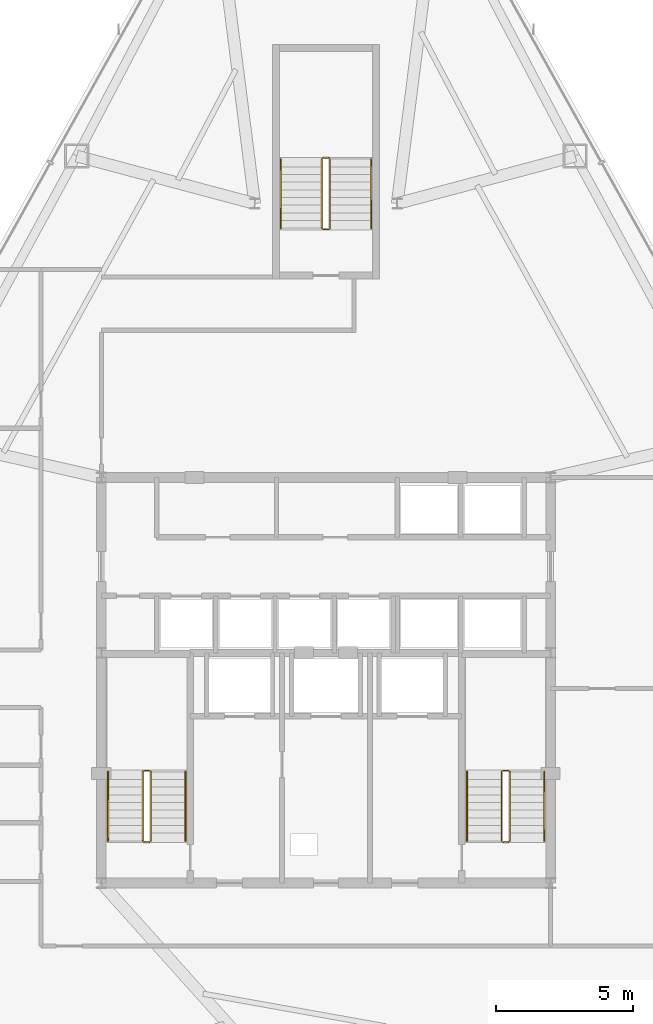
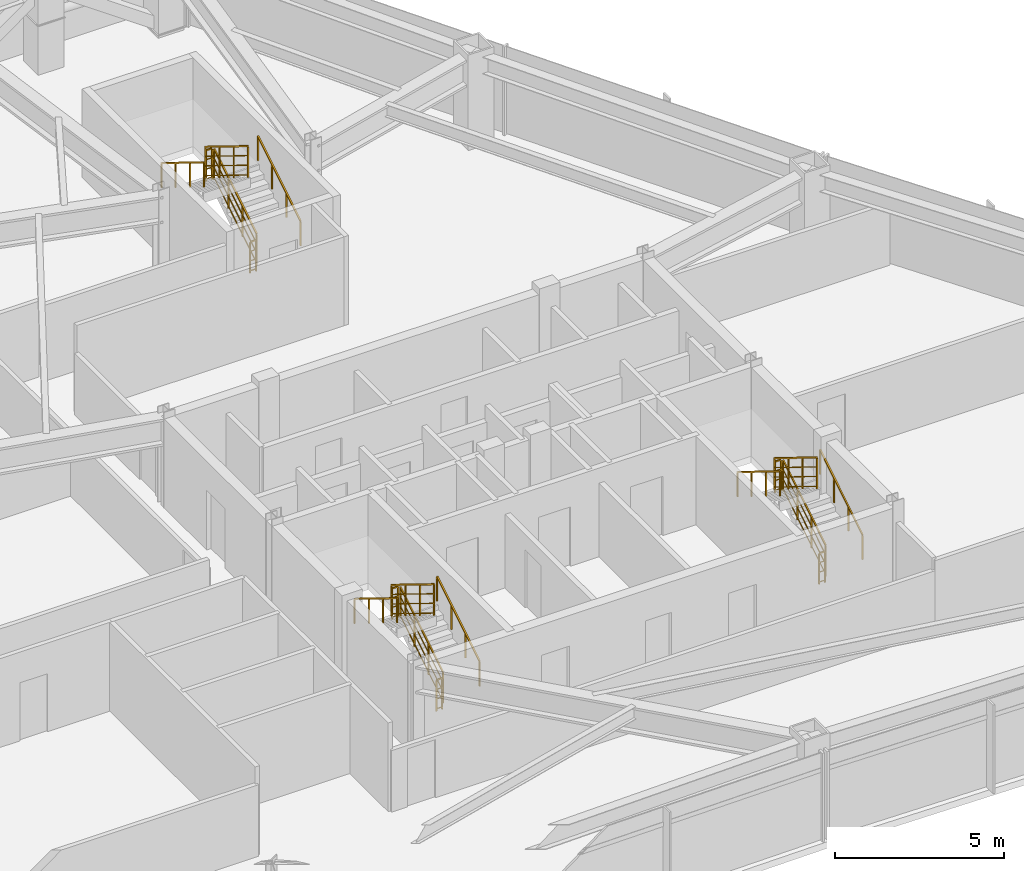
# One storey, part 13 of 13: 18 railings.
"""IFC4 building model written with IfcOpenShell, lengths in metres."""

from ifc_helpers import new_model, si_unit, direction, frame, origin, origin_2d, place, context, subcontext, project, spatial, rectangle, extrude, material, type_object, element, save


model = new_model("IFC4")

# Units and contexts
model_context = context("Model", 3, precision=1e-05, world=origin(), true_north=direction((0.0, 1.0)))
body_context = subcontext(model_context, "Body", "Model", "MODEL_VIEW")
ifc_project = project(units=[si_unit("LENGTHUNIT", "METRE"), si_unit("AREAUNIT", "SQUARE_METRE"), si_unit("VOLUMEUNIT", "CUBIC_METRE"), si_unit("PLANEANGLEUNIT", "RADIAN"), si_unit("MASSUNIT", "GRAM", prefix="KILO")], contexts=[model_context])

# Site, building, storey
site_placement = place(None, origin())
site = spatial("IfcSite", under=ifc_project, at=site_placement, CompositionType="ELEMENT")
building_placement = place(site_placement, origin())
building = spatial("IfcBuilding", under=site, at=building_placement, Name="Varakhsha Concourse Tower", CompositionType="ELEMENT")
storey_placement = place(building_placement, frame((0.0, 0.0, 147.050048828125)))
storey = spatial("IfcBuildingStorey", under=building, at=storey_placement, Name="L42", CompositionType="ELEMENT", Elevation=147.050048828125)

# Railings
ifc_material = material(Name="Brushed Austenitic Stainless Steel AISI 316", Category="steel")
railing_type_1 = type_object("IfcRailingType", Name="RL-STAIR-GUARD-1100", PredefinedType="GUARDRAIL", material=ifc_material)
railing_1_placement = place(storey_placement, frame((33.610107421875, 17.93994140625, 0.17236328125)))
element("IfcRailing", 1, at=railing_1_placement, inside=storey, type_object=railing_type_1, Name="L42 ST1 stair guard 1", PredefinedType="GUARDRAIL", context=body_context, shape_type="SweptSolid", body=[
    extrude(rectangle(XDim=0.048095703125, YDim=0.048095703125, at=origin_2d()), frame((0.0, 0.0, 1.1259765625), z_axis=(0.0, 0.851400495292, 0.524516154772), x_axis=(-1.0, 0.0, 0.0)), (0.0, 0.0, 1.0), 2.9599609375),
    extrude(rectangle(XDim=0.028076171875, YDim=0.028076171875, at=origin_2d()), frame((0.0, 0.0, 0.080078125), z_axis=(0.0, 0.851400495292, 0.524516154772), x_axis=(-1.0, 0.0, 0.0)), (0.0, 0.0, 1.0), 2.9599609375),
    extrude(rectangle(XDim=0.028076171875, YDim=0.028076171875, at=origin_2d()), frame((0.0, 0.0, 0.43701171875), z_axis=(0.0, 0.851400495292, 0.524516154772), x_axis=(-1.0, 0.0, 0.0)), (0.0, 0.0, 1.0), 2.9599609375),
    extrude(rectangle(XDim=0.028076171875, YDim=0.028076171875, at=origin_2d()), frame((0.0, 0.0, 0.781982421875), z_axis=(0.0, 0.851400495292, 0.524516154772), x_axis=(-1.0, 0.0, 0.0)), (0.0, 0.0, 1.0), 2.9599609375),
    extrude(rectangle(XDim=0.0419921875, YDim=0.0419921875, at=origin_2d()), origin(), (0.0, 0.0, 1.0), 1.101806640625),
    extrude(rectangle(XDim=0.0419921875, YDim=0.0419921875, at=origin_2d()), frame((0.0, 0.840087890625, 0.517578125)), (0.0, 0.0, 1.0), 1.101806640625),
    extrude(rectangle(XDim=0.0419921875, YDim=0.0419921875, at=origin_2d()), frame((0.0, 1.679931640625, 1.034912109375)), (0.0, 0.0, 1.0), 1.101806640625),
    extrude(rectangle(XDim=0.0419921875, YDim=0.0419921875, at=origin_2d()), frame((0.0, 2.52001953125, 1.552490234375)), (0.0, 0.0, 1.0), 1.101806640625),
])
railing_2_placement = place(storey_placement, frame((33.56005859375, 20.510009765625, 1.724853515625)))
element("IfcRailing", 2, at=railing_2_placement, inside=storey, type_object=railing_type_1, Name="L42 ST1 stair guard 2", PredefinedType="GUARDRAIL", context=body_context, shape_type="SweptSolid", body=[
    extrude(rectangle(XDim=0.048095703125, YDim=0.048095703125, at=origin_2d()), frame((0.0, 0.0, 1.1259765625), z_axis=(-1.0, 0.0, 0.0), x_axis=(0.0, -1.0, 0.0)), (0.0, 0.0, 1.0), 0.199951171875),
    extrude(rectangle(XDim=0.028076171875, YDim=0.028076171875, at=origin_2d()), frame((0.0, 0.0, 0.080078125), z_axis=(-1.0, 0.0, 0.0), x_axis=(0.0, -1.0, 0.0)), (0.0, 0.0, 1.0), 0.199951171875),
    extrude(rectangle(XDim=0.028076171875, YDim=0.028076171875, at=origin_2d()), frame((0.0, 0.0, 0.43701171875), z_axis=(-1.0, 0.0, 0.0), x_axis=(0.0, -1.0, 0.0)), (0.0, 0.0, 1.0), 0.199951171875),
    extrude(rectangle(XDim=0.028076171875, YDim=0.028076171875, at=origin_2d()), frame((0.0, 0.0, 0.781982421875), z_axis=(-1.0, 0.0, 0.0), x_axis=(0.0, -1.0, 0.0)), (0.0, 0.0, 1.0), 0.199951171875),
    extrude(rectangle(XDim=0.0419921875, YDim=0.0419921875, at=origin_2d()), origin(), (0.0, 0.0, 1.0), 1.101806640625),
    extrude(rectangle(XDim=0.0419921875, YDim=0.0419921875, at=origin_2d()), frame((-0.199951171875, 0.0, 0.0)), (0.0, 0.0, 1.0), 1.101806640625),
])
railing_3_placement = place(storey_placement, frame((33.31005859375, 20.4599609375, 1.8974609375)))
element("IfcRailing", 3, at=railing_3_placement, inside=storey, type_object=railing_type_1, Name="L42 ST1 stair guard 3", PredefinedType="GUARDRAIL", context=body_context, shape_type="SweptSolid", body=[
    extrude(rectangle(XDim=0.048095703125, YDim=0.048095703125, at=origin_2d()), frame((0.0, 0.0, 1.1259765625), z_axis=(0.0, -0.851400495292, 0.524516154772), x_axis=(1.0, 0.0, 0.0)), (0.0, 0.0, 1.0), 2.9599609375),
    extrude(rectangle(XDim=0.028076171875, YDim=0.028076171875, at=origin_2d()), frame((0.0, 0.0, 0.080078125), z_axis=(0.0, -0.851400495292, 0.524516154772), x_axis=(1.0, 0.0, 0.0)), (0.0, 0.0, 1.0), 2.9599609375),
    extrude(rectangle(XDim=0.028076171875, YDim=0.028076171875, at=origin_2d()), frame((0.0, 0.0, 0.43701171875), z_axis=(0.0, -0.851400495292, 0.524516154772), x_axis=(1.0, 0.0, 0.0)), (0.0, 0.0, 1.0), 2.9599609375),
    extrude(rectangle(XDim=0.028076171875, YDim=0.028076171875, at=origin_2d()), frame((0.0, 0.0, 0.781982421875), z_axis=(0.0, -0.851400495292, 0.524516154772), x_axis=(1.0, 0.0, 0.0)), (0.0, 0.0, 1.0), 2.9599609375),
    extrude(rectangle(XDim=0.0419921875, YDim=0.0419921875, at=origin_2d()), origin(), (0.0, 0.0, 1.0), 1.101806640625),
    extrude(rectangle(XDim=0.0419921875, YDim=0.0419921875, at=origin_2d()), frame((0.0, -0.840087890625, 0.517578125)), (0.0, 0.0, 1.0), 1.101806640625),
    extrude(rectangle(XDim=0.0419921875, YDim=0.0419921875, at=origin_2d()), frame((0.0, -1.679931640625, 1.034912109375)), (0.0, 0.0, 1.0), 1.101806640625),
    extrude(rectangle(XDim=0.0419921875, YDim=0.0419921875, at=origin_2d()), frame((0.0, -2.52001953125, 1.552490234375)), (0.0, 0.0, 1.0), 1.101806640625),
])
railing_4_placement = place(storey_placement, frame((33.56005859375, 17.889892578125, 0.0)))
element("IfcRailing", 4, at=railing_4_placement, inside=storey, type_object=railing_type_1, Name="L42 ST1 stair guard 4", PredefinedType="GUARDRAIL", context=body_context, shape_type="SweptSolid", body=[
    extrude(rectangle(XDim=0.048095703125, YDim=0.048095703125, at=origin_2d()), frame((0.0, 0.0, 1.1259765625), z_axis=(-1.0, 0.0, 0.0), x_axis=(0.0, -1.0, 0.0)), (0.0, 0.0, 1.0), 0.199951171875),
    extrude(rectangle(XDim=0.028076171875, YDim=0.028076171875, at=origin_2d()), frame((0.0, 0.0, 0.080078125), z_axis=(-1.0, 0.0, 0.0), x_axis=(0.0, -1.0, 0.0)), (0.0, 0.0, 1.0), 0.199951171875),
    extrude(rectangle(XDim=0.028076171875, YDim=0.028076171875, at=origin_2d()), frame((0.0, 0.0, 0.43701171875), z_axis=(-1.0, 0.0, 0.0), x_axis=(0.0, -1.0, 0.0)), (0.0, 0.0, 1.0), 0.199951171875),
    extrude(rectangle(XDim=0.028076171875, YDim=0.028076171875, at=origin_2d()), frame((0.0, 0.0, 0.781982421875), z_axis=(-1.0, 0.0, 0.0), x_axis=(0.0, -1.0, 0.0)), (0.0, 0.0, 1.0), 0.199951171875),
    extrude(rectangle(XDim=0.0419921875, YDim=0.0419921875, at=origin_2d()), origin(), (0.0, 0.0, 1.0), 1.101806640625),
    extrude(rectangle(XDim=0.0419921875, YDim=0.0419921875, at=origin_2d()), frame((-0.199951171875, 0.0, 0.0)), (0.0, 0.0, 1.0), 1.101806640625),
])
railing_5_placement = place(storey_placement, frame((46.7099609375, 17.93994140625, 0.17236328125)))
element("IfcRailing", 5, at=railing_5_placement, inside=storey, type_object=railing_type_1, Name="L42 ST2 stair guard 1", PredefinedType="GUARDRAIL", context=body_context, shape_type="SweptSolid", body=[
    extrude(rectangle(XDim=0.048095703125, YDim=0.048095703125, at=origin_2d()), frame((0.0, 0.0, 1.1259765625), z_axis=(0.0, 0.851400495292, 0.524516154772), x_axis=(-1.0, 0.0, 0.0)), (0.0, 0.0, 1.0), 2.9599609375),
    extrude(rectangle(XDim=0.028076171875, YDim=0.028076171875, at=origin_2d()), frame((0.0, 0.0, 0.080078125), z_axis=(0.0, 0.851400495292, 0.524516154772), x_axis=(-1.0, 0.0, 0.0)), (0.0, 0.0, 1.0), 2.9599609375),
    extrude(rectangle(XDim=0.028076171875, YDim=0.028076171875, at=origin_2d()), frame((0.0, 0.0, 0.43701171875), z_axis=(0.0, 0.851400495292, 0.524516154772), x_axis=(-1.0, 0.0, 0.0)), (0.0, 0.0, 1.0), 2.9599609375),
    extrude(rectangle(XDim=0.028076171875, YDim=0.028076171875, at=origin_2d()), frame((0.0, 0.0, 0.781982421875), z_axis=(0.0, 0.851400495292, 0.524516154772), x_axis=(-1.0, 0.0, 0.0)), (0.0, 0.0, 1.0), 2.9599609375),
    extrude(rectangle(XDim=0.0419921875, YDim=0.0419921875, at=origin_2d()), origin(), (0.0, 0.0, 1.0), 1.101806640625),
    extrude(rectangle(XDim=0.0419921875, YDim=0.0419921875, at=origin_2d()), frame((0.0, 0.840087890625, 0.517578125)), (0.0, 0.0, 1.0), 1.101806640625),
    extrude(rectangle(XDim=0.0419921875, YDim=0.0419921875, at=origin_2d()), frame((0.0, 1.679931640625, 1.034912109375)), (0.0, 0.0, 1.0), 1.101806640625),
    extrude(rectangle(XDim=0.0419921875, YDim=0.0419921875, at=origin_2d()), frame((0.0, 2.52001953125, 1.552490234375)), (0.0, 0.0, 1.0), 1.101806640625),
])
railing_6_placement = place(storey_placement, frame((46.659912109375, 20.510009765625, 1.724853515625)))
element("IfcRailing", 6, at=railing_6_placement, inside=storey, type_object=railing_type_1, Name="L42 ST2 stair guard 2", PredefinedType="GUARDRAIL", context=body_context, shape_type="SweptSolid", body=[
    extrude(rectangle(XDim=0.048095703125, YDim=0.048095703125, at=origin_2d()), frame((0.0, 0.0, 1.1259765625), z_axis=(-1.0, 0.0, 0.0), x_axis=(0.0, -1.0, 0.0)), (0.0, 0.0, 1.0), 0.199951171875),
    extrude(rectangle(XDim=0.028076171875, YDim=0.028076171875, at=origin_2d()), frame((0.0, 0.0, 0.080078125), z_axis=(-1.0, 0.0, 0.0), x_axis=(0.0, -1.0, 0.0)), (0.0, 0.0, 1.0), 0.199951171875),
    extrude(rectangle(XDim=0.028076171875, YDim=0.028076171875, at=origin_2d()), frame((0.0, 0.0, 0.43701171875), z_axis=(-1.0, 0.0, 0.0), x_axis=(0.0, -1.0, 0.0)), (0.0, 0.0, 1.0), 0.199951171875),
    extrude(rectangle(XDim=0.028076171875, YDim=0.028076171875, at=origin_2d()), frame((0.0, 0.0, 0.781982421875), z_axis=(-1.0, 0.0, 0.0), x_axis=(0.0, -1.0, 0.0)), (0.0, 0.0, 1.0), 0.199951171875),
    extrude(rectangle(XDim=0.0419921875, YDim=0.0419921875, at=origin_2d()), origin(), (0.0, 0.0, 1.0), 1.101806640625),
    extrude(rectangle(XDim=0.0419921875, YDim=0.0419921875, at=origin_2d()), frame((-0.199951171875, 0.0, 0.0)), (0.0, 0.0, 1.0), 1.101806640625),
])
railing_7_placement = place(storey_placement, frame((46.409912109375, 20.4599609375, 1.8974609375)))
element("IfcRailing", 7, at=railing_7_placement, inside=storey, type_object=railing_type_1, Name="L42 ST2 stair guard 3", PredefinedType="GUARDRAIL", context=body_context, shape_type="SweptSolid", body=[
    extrude(rectangle(XDim=0.048095703125, YDim=0.048095703125, at=origin_2d()), frame((0.0, 0.0, 1.1259765625), z_axis=(0.0, -0.851400495292, 0.524516154772), x_axis=(1.0, 0.0, 0.0)), (0.0, 0.0, 1.0), 2.9599609375),
    extrude(rectangle(XDim=0.028076171875, YDim=0.028076171875, at=origin_2d()), frame((0.0, 0.0, 0.080078125), z_axis=(0.0, -0.851400495292, 0.524516154772), x_axis=(1.0, 0.0, 0.0)), (0.0, 0.0, 1.0), 2.9599609375),
    extrude(rectangle(XDim=0.028076171875, YDim=0.028076171875, at=origin_2d()), frame((0.0, 0.0, 0.43701171875), z_axis=(0.0, -0.851400495292, 0.524516154772), x_axis=(1.0, 0.0, 0.0)), (0.0, 0.0, 1.0), 2.9599609375),
    extrude(rectangle(XDim=0.028076171875, YDim=0.028076171875, at=origin_2d()), frame((0.0, 0.0, 0.781982421875), z_axis=(0.0, -0.851400495292, 0.524516154772), x_axis=(1.0, 0.0, 0.0)), (0.0, 0.0, 1.0), 2.9599609375),
    extrude(rectangle(XDim=0.0419921875, YDim=0.0419921875, at=origin_2d()), origin(), (0.0, 0.0, 1.0), 1.101806640625),
    extrude(rectangle(XDim=0.0419921875, YDim=0.0419921875, at=origin_2d()), frame((0.0, -0.840087890625, 0.517578125)), (0.0, 0.0, 1.0), 1.101806640625),
    extrude(rectangle(XDim=0.0419921875, YDim=0.0419921875, at=origin_2d()), frame((0.0, -1.679931640625, 1.034912109375)), (0.0, 0.0, 1.0), 1.101806640625),
    extrude(rectangle(XDim=0.0419921875, YDim=0.0419921875, at=origin_2d()), frame((0.0, -2.52001953125, 1.552490234375)), (0.0, 0.0, 1.0), 1.101806640625),
])
railing_8_placement = place(storey_placement, frame((46.659912109375, 17.889892578125, 0.0)))
element("IfcRailing", 8, at=railing_8_placement, inside=storey, type_object=railing_type_1, Name="L42 ST2 stair guard 4", PredefinedType="GUARDRAIL", context=body_context, shape_type="SweptSolid", body=[
    extrude(rectangle(XDim=0.048095703125, YDim=0.048095703125, at=origin_2d()), frame((0.0, 0.0, 1.1259765625), z_axis=(-1.0, 0.0, 0.0), x_axis=(0.0, -1.0, 0.0)), (0.0, 0.0, 1.0), 0.199951171875),
    extrude(rectangle(XDim=0.028076171875, YDim=0.028076171875, at=origin_2d()), frame((0.0, 0.0, 0.080078125), z_axis=(-1.0, 0.0, 0.0), x_axis=(0.0, -1.0, 0.0)), (0.0, 0.0, 1.0), 0.199951171875),
    extrude(rectangle(XDim=0.028076171875, YDim=0.028076171875, at=origin_2d()), frame((0.0, 0.0, 0.43701171875), z_axis=(-1.0, 0.0, 0.0), x_axis=(0.0, -1.0, 0.0)), (0.0, 0.0, 1.0), 0.199951171875),
    extrude(rectangle(XDim=0.028076171875, YDim=0.028076171875, at=origin_2d()), frame((0.0, 0.0, 0.781982421875), z_axis=(-1.0, 0.0, 0.0), x_axis=(0.0, -1.0, 0.0)), (0.0, 0.0, 1.0), 0.199951171875),
    extrude(rectangle(XDim=0.0419921875, YDim=0.0419921875, at=origin_2d()), origin(), (0.0, 0.0, 1.0), 1.101806640625),
    extrude(rectangle(XDim=0.0419921875, YDim=0.0419921875, at=origin_2d()), frame((-0.199951171875, 0.0, 0.0)), (0.0, 0.0, 1.0), 1.101806640625),
])
railing_9_placement = place(storey_placement, frame((40.14990234375, 40.300048828125, 0.17236328125)))
element("IfcRailing", 9, at=railing_9_placement, inside=storey, type_object=railing_type_1, Name="L42 ST5 stair guard 1", PredefinedType="GUARDRAIL", context=body_context, shape_type="SweptSolid", body=[
    extrude(rectangle(XDim=0.048095703125, YDim=0.048095703125, at=origin_2d()), frame((0.0, 0.0, 1.1259765625), z_axis=(0.0, 0.851400495292, 0.524516154772), x_axis=(-1.0, 0.0, 0.0)), (0.0, 0.0, 1.0), 2.9599609375),
    extrude(rectangle(XDim=0.028076171875, YDim=0.028076171875, at=origin_2d()), frame((0.0, 0.0, 0.080078125), z_axis=(0.0, 0.851400495292, 0.524516154772), x_axis=(-1.0, 0.0, 0.0)), (0.0, 0.0, 1.0), 2.9599609375),
    extrude(rectangle(XDim=0.028076171875, YDim=0.028076171875, at=origin_2d()), frame((0.0, 0.0, 0.43701171875), z_axis=(0.0, 0.851400495292, 0.524516154772), x_axis=(-1.0, 0.0, 0.0)), (0.0, 0.0, 1.0), 2.9599609375),
    extrude(rectangle(XDim=0.028076171875, YDim=0.028076171875, at=origin_2d()), frame((0.0, 0.0, 0.781982421875), z_axis=(0.0, 0.851400495292, 0.524516154772), x_axis=(-1.0, 0.0, 0.0)), (0.0, 0.0, 1.0), 2.9599609375),
    extrude(rectangle(XDim=0.0419921875, YDim=0.0419921875, at=origin_2d()), origin(), (0.0, 0.0, 1.0), 1.101806640625),
    extrude(rectangle(XDim=0.0419921875, YDim=0.0419921875, at=origin_2d()), frame((0.0, 0.840087890625, 0.517578125)), (0.0, 0.0, 1.0), 1.101806640625),
    extrude(rectangle(XDim=0.0419921875, YDim=0.0419921875, at=origin_2d()), frame((0.0, 1.679931640625, 1.034912109375)), (0.0, 0.0, 1.0), 1.101806640625),
    extrude(rectangle(XDim=0.0419921875, YDim=0.0419921875, at=origin_2d()), frame((0.0, 2.52001953125, 1.552490234375)), (0.0, 0.0, 1.0), 1.101806640625),
])
railing_10_placement = place(storey_placement, frame((40.10009765625, 42.8701171875, 1.724853515625)))
element("IfcRailing", 10, at=railing_10_placement, inside=storey, type_object=railing_type_1, Name="L42 ST5 stair guard 2", PredefinedType="GUARDRAIL", context=body_context, shape_type="SweptSolid", body=[
    extrude(rectangle(XDim=0.048095703125, YDim=0.048095703125, at=origin_2d()), frame((0.0, 0.0, 1.1259765625), z_axis=(-1.0, 0.0, 0.0), x_axis=(0.0, -1.0, 0.0)), (0.0, 0.0, 1.0), 0.2001953125),
    extrude(rectangle(XDim=0.028076171875, YDim=0.028076171875, at=origin_2d()), frame((0.0, 0.0, 0.080078125), z_axis=(-1.0, 0.0, 0.0), x_axis=(0.0, -1.0, 0.0)), (0.0, 0.0, 1.0), 0.2001953125),
    extrude(rectangle(XDim=0.028076171875, YDim=0.028076171875, at=origin_2d()), frame((0.0, 0.0, 0.43701171875), z_axis=(-1.0, 0.0, 0.0), x_axis=(0.0, -1.0, 0.0)), (0.0, 0.0, 1.0), 0.2001953125),
    extrude(rectangle(XDim=0.028076171875, YDim=0.028076171875, at=origin_2d()), frame((0.0, 0.0, 0.781982421875), z_axis=(-1.0, 0.0, 0.0), x_axis=(0.0, -1.0, 0.0)), (0.0, 0.0, 1.0), 0.2001953125),
    extrude(rectangle(XDim=0.0419921875, YDim=0.0419921875, at=origin_2d()), origin(), (0.0, 0.0, 1.0), 1.101806640625),
    extrude(rectangle(XDim=0.0419921875, YDim=0.0419921875, at=origin_2d()), frame((-0.2001953125, 0.0, 0.0)), (0.0, 0.0, 1.0), 1.101806640625),
])
railing_11_placement = place(storey_placement, frame((39.85009765625, 42.820068359375, 1.8974609375)))
element("IfcRailing", 11, at=railing_11_placement, inside=storey, type_object=railing_type_1, Name="L42 ST5 stair guard 3", PredefinedType="GUARDRAIL", context=body_context, shape_type="SweptSolid", body=[
    extrude(rectangle(XDim=0.048095703125, YDim=0.048095703125, at=origin_2d()), frame((0.0, 0.0, 1.1259765625), z_axis=(0.0, -0.851400495292, 0.524516154772), x_axis=(1.0, 0.0, 0.0)), (0.0, 0.0, 1.0), 2.9599609375),
    extrude(rectangle(XDim=0.028076171875, YDim=0.028076171875, at=origin_2d()), frame((0.0, 0.0, 0.080078125), z_axis=(0.0, -0.851400495292, 0.524516154772), x_axis=(1.0, 0.0, 0.0)), (0.0, 0.0, 1.0), 2.9599609375),
    extrude(rectangle(XDim=0.028076171875, YDim=0.028076171875, at=origin_2d()), frame((0.0, 0.0, 0.43701171875), z_axis=(0.0, -0.851400495292, 0.524516154772), x_axis=(1.0, 0.0, 0.0)), (0.0, 0.0, 1.0), 2.9599609375),
    extrude(rectangle(XDim=0.028076171875, YDim=0.028076171875, at=origin_2d()), frame((0.0, 0.0, 0.781982421875), z_axis=(0.0, -0.851400495292, 0.524516154772), x_axis=(1.0, 0.0, 0.0)), (0.0, 0.0, 1.0), 2.9599609375),
    extrude(rectangle(XDim=0.0419921875, YDim=0.0419921875, at=origin_2d()), origin(), (0.0, 0.0, 1.0), 1.101806640625),
    extrude(rectangle(XDim=0.0419921875, YDim=0.0419921875, at=origin_2d()), frame((0.0, -0.840087890625, 0.517578125)), (0.0, 0.0, 1.0), 1.101806640625),
    extrude(rectangle(XDim=0.0419921875, YDim=0.0419921875, at=origin_2d()), frame((0.0, -1.679931640625, 1.034912109375)), (0.0, 0.0, 1.0), 1.101806640625),
    extrude(rectangle(XDim=0.0419921875, YDim=0.0419921875, at=origin_2d()), frame((0.0, -2.52001953125, 1.552490234375)), (0.0, 0.0, 1.0), 1.101806640625),
])
railing_12_placement = place(storey_placement, frame((40.10009765625, 40.25, 0.0)))
element("IfcRailing", 12, at=railing_12_placement, inside=storey, type_object=railing_type_1, Name="L42 ST5 stair guard 4", PredefinedType="GUARDRAIL", context=body_context, shape_type="SweptSolid", body=[
    extrude(rectangle(XDim=0.048095703125, YDim=0.048095703125, at=origin_2d()), frame((0.0, 0.0, 1.1259765625), z_axis=(-1.0, 0.0, 0.0), x_axis=(0.0, -1.0, 0.0)), (0.0, 0.0, 1.0), 0.2001953125),
    extrude(rectangle(XDim=0.028076171875, YDim=0.028076171875, at=origin_2d()), frame((0.0, 0.0, 0.080078125), z_axis=(-1.0, 0.0, 0.0), x_axis=(0.0, -1.0, 0.0)), (0.0, 0.0, 1.0), 0.2001953125),
    extrude(rectangle(XDim=0.028076171875, YDim=0.028076171875, at=origin_2d()), frame((0.0, 0.0, 0.43701171875), z_axis=(-1.0, 0.0, 0.0), x_axis=(0.0, -1.0, 0.0)), (0.0, 0.0, 1.0), 0.2001953125),
    extrude(rectangle(XDim=0.028076171875, YDim=0.028076171875, at=origin_2d()), frame((0.0, 0.0, 0.781982421875), z_axis=(-1.0, 0.0, 0.0), x_axis=(0.0, -1.0, 0.0)), (0.0, 0.0, 1.0), 0.2001953125),
    extrude(rectangle(XDim=0.0419921875, YDim=0.0419921875, at=origin_2d()), origin(), (0.0, 0.0, 1.0), 1.101806640625),
    extrude(rectangle(XDim=0.0419921875, YDim=0.0419921875, at=origin_2d()), frame((-0.2001953125, 0.0, 0.0)), (0.0, 0.0, 1.0), 1.101806640625),
])
railing_type_2 = type_object("IfcRailingType", Name="RL-STAIR-RAIL-915", PredefinedType="HANDRAIL", material=ifc_material)
railing_13_placement = place(storey_placement, frame((34.8701171875, 17.93994140625, 0.344970703125)))
element("IfcRailing", 13, at=railing_13_placement, inside=storey, type_object=railing_type_2, Name="L42 ST1 stair handrail 1", PredefinedType="HANDRAIL", context=body_context, shape_type="SweptSolid", body=[
    extrude(rectangle(XDim=0.048095703125, YDim=0.048095703125, at=origin_2d()), frame((0.0, 0.0, 0.89111328125), z_axis=(0.0, 0.851400495292, 0.524516154772), x_axis=(-1.0, 0.0, 0.0)), (0.0, 0.0, 1.0), 2.9599609375),
    extrude(rectangle(XDim=0.0419921875, YDim=0.0419921875, at=origin_2d()), origin(), (0.0, 0.0, 1.0), 0.866943359375),
    extrude(rectangle(XDim=0.0419921875, YDim=0.0419921875, at=origin_2d()), frame((0.0, 0.840087890625, 0.517578125)), (0.0, 0.0, 1.0), 0.866943359375),
    extrude(rectangle(XDim=0.0419921875, YDim=0.0419921875, at=origin_2d()), frame((0.0, 1.679931640625, 1.034912109375)), (0.0, 0.0, 1.0), 0.866943359375),
    extrude(rectangle(XDim=0.0419921875, YDim=0.0419921875, at=origin_2d()), frame((0.0, 2.52001953125, 1.552490234375)), (0.0, 0.0, 1.0), 0.866943359375),
])
railing_14_placement = place(storey_placement, frame((32.050048828125, 20.4599609375, 2.070068359375)))
element("IfcRailing", 14, at=railing_14_placement, inside=storey, type_object=railing_type_2, Name="L42 ST1 stair handrail 2", PredefinedType="HANDRAIL", context=body_context, shape_type="SweptSolid", body=[
    extrude(rectangle(XDim=0.048095703125, YDim=0.048095703125, at=origin_2d()), frame((0.0, 0.0, 0.89111328125), z_axis=(0.0, -0.851400495292, 0.524516154772), x_axis=(1.0, 0.0, 0.0)), (0.0, 0.0, 1.0), 2.9599609375),
    extrude(rectangle(XDim=0.0419921875, YDim=0.0419921875, at=origin_2d()), origin(), (0.0, 0.0, 1.0), 0.866943359375),
    extrude(rectangle(XDim=0.0419921875, YDim=0.0419921875, at=origin_2d()), frame((0.0, -0.840087890625, 0.517578125)), (0.0, 0.0, 1.0), 0.866943359375),
    extrude(rectangle(XDim=0.0419921875, YDim=0.0419921875, at=origin_2d()), frame((0.0, -1.679931640625, 1.034912109375)), (0.0, 0.0, 1.0), 0.866943359375),
    extrude(rectangle(XDim=0.0419921875, YDim=0.0419921875, at=origin_2d()), frame((0.0, -2.52001953125, 1.552490234375)), (0.0, 0.0, 1.0), 0.866943359375),
])
railing_15_placement = place(storey_placement, frame((47.969970703125, 17.93994140625, 0.344970703125)))
element("IfcRailing", 15, at=railing_15_placement, inside=storey, type_object=railing_type_2, Name="L42 ST2 stair handrail 1", PredefinedType="HANDRAIL", context=body_context, shape_type="SweptSolid", body=[
    extrude(rectangle(XDim=0.048095703125, YDim=0.048095703125, at=origin_2d()), frame((0.0, 0.0, 0.89111328125), z_axis=(0.0, 0.851400495292, 0.524516154772), x_axis=(-1.0, 0.0, 0.0)), (0.0, 0.0, 1.0), 2.9599609375),
    extrude(rectangle(XDim=0.0419921875, YDim=0.0419921875, at=origin_2d()), origin(), (0.0, 0.0, 1.0), 0.866943359375),
    extrude(rectangle(XDim=0.0419921875, YDim=0.0419921875, at=origin_2d()), frame((0.0, 0.840087890625, 0.517578125)), (0.0, 0.0, 1.0), 0.866943359375),
    extrude(rectangle(XDim=0.0419921875, YDim=0.0419921875, at=origin_2d()), frame((0.0, 1.679931640625, 1.034912109375)), (0.0, 0.0, 1.0), 0.866943359375),
    extrude(rectangle(XDim=0.0419921875, YDim=0.0419921875, at=origin_2d()), frame((0.0, 2.52001953125, 1.552490234375)), (0.0, 0.0, 1.0), 0.866943359375),
])
railing_16_placement = place(storey_placement, frame((45.14990234375, 20.4599609375, 2.070068359375)))
element("IfcRailing", 16, at=railing_16_placement, inside=storey, type_object=railing_type_2, Name="L42 ST2 stair handrail 2", PredefinedType="HANDRAIL", context=body_context, shape_type="SweptSolid", body=[
    extrude(rectangle(XDim=0.048095703125, YDim=0.048095703125, at=origin_2d()), frame((0.0, 0.0, 0.89111328125), z_axis=(0.0, -0.851400495292, 0.524516154772), x_axis=(1.0, 0.0, 0.0)), (0.0, 0.0, 1.0), 2.9599609375),
    extrude(rectangle(XDim=0.0419921875, YDim=0.0419921875, at=origin_2d()), origin(), (0.0, 0.0, 1.0), 0.866943359375),
    extrude(rectangle(XDim=0.0419921875, YDim=0.0419921875, at=origin_2d()), frame((0.0, -0.840087890625, 0.517578125)), (0.0, 0.0, 1.0), 0.866943359375),
    extrude(rectangle(XDim=0.0419921875, YDim=0.0419921875, at=origin_2d()), frame((0.0, -1.679931640625, 1.034912109375)), (0.0, 0.0, 1.0), 0.866943359375),
    extrude(rectangle(XDim=0.0419921875, YDim=0.0419921875, at=origin_2d()), frame((0.0, -2.52001953125, 1.552490234375)), (0.0, 0.0, 1.0), 0.866943359375),
])
railing_17_placement = place(storey_placement, frame((41.64990234375, 40.300048828125, 0.344970703125)))
element("IfcRailing", 17, at=railing_17_placement, inside=storey, type_object=railing_type_2, Name="L42 ST5 stair handrail 1", PredefinedType="HANDRAIL", context=body_context, shape_type="SweptSolid", body=[
    extrude(rectangle(XDim=0.048095703125, YDim=0.048095703125, at=origin_2d()), frame((0.0, 0.0, 0.89111328125), z_axis=(0.0, 0.851400495292, 0.524516154772), x_axis=(-1.0, 0.0, 0.0)), (0.0, 0.0, 1.0), 2.9599609375),
    extrude(rectangle(XDim=0.0419921875, YDim=0.0419921875, at=origin_2d()), origin(), (0.0, 0.0, 1.0), 0.866943359375),
    extrude(rectangle(XDim=0.0419921875, YDim=0.0419921875, at=origin_2d()), frame((0.0, 0.840087890625, 0.517578125)), (0.0, 0.0, 1.0), 0.866943359375),
    extrude(rectangle(XDim=0.0419921875, YDim=0.0419921875, at=origin_2d()), frame((0.0, 1.679931640625, 1.034912109375)), (0.0, 0.0, 1.0), 0.866943359375),
    extrude(rectangle(XDim=0.0419921875, YDim=0.0419921875, at=origin_2d()), frame((0.0, 2.52001953125, 1.552490234375)), (0.0, 0.0, 1.0), 0.866943359375),
])
railing_18_placement = place(storey_placement, frame((38.35009765625, 42.820068359375, 2.070068359375)))
element("IfcRailing", 18, at=railing_18_placement, inside=storey, type_object=railing_type_2, Name="L42 ST5 stair handrail 2", PredefinedType="HANDRAIL", context=body_context, shape_type="SweptSolid", body=[
    extrude(rectangle(XDim=0.048095703125, YDim=0.048095703125, at=origin_2d()), frame((0.0, 0.0, 0.89111328125), z_axis=(0.0, -0.851400495292, 0.524516154772), x_axis=(1.0, 0.0, 0.0)), (0.0, 0.0, 1.0), 2.9599609375),
    extrude(rectangle(XDim=0.0419921875, YDim=0.0419921875, at=origin_2d()), origin(), (0.0, 0.0, 1.0), 0.866943359375),
    extrude(rectangle(XDim=0.0419921875, YDim=0.0419921875, at=origin_2d()), frame((0.0, -0.840087890625, 0.517578125)), (0.0, 0.0, 1.0), 0.866943359375),
    extrude(rectangle(XDim=0.0419921875, YDim=0.0419921875, at=origin_2d()), frame((0.0, -1.679931640625, 1.034912109375)), (0.0, 0.0, 1.0), 0.866943359375),
    extrude(rectangle(XDim=0.0419921875, YDim=0.0419921875, at=origin_2d()), frame((0.0, -2.52001953125, 1.552490234375)), (0.0, 0.0, 1.0), 0.866943359375),
])

save(model, "model.ifc")
